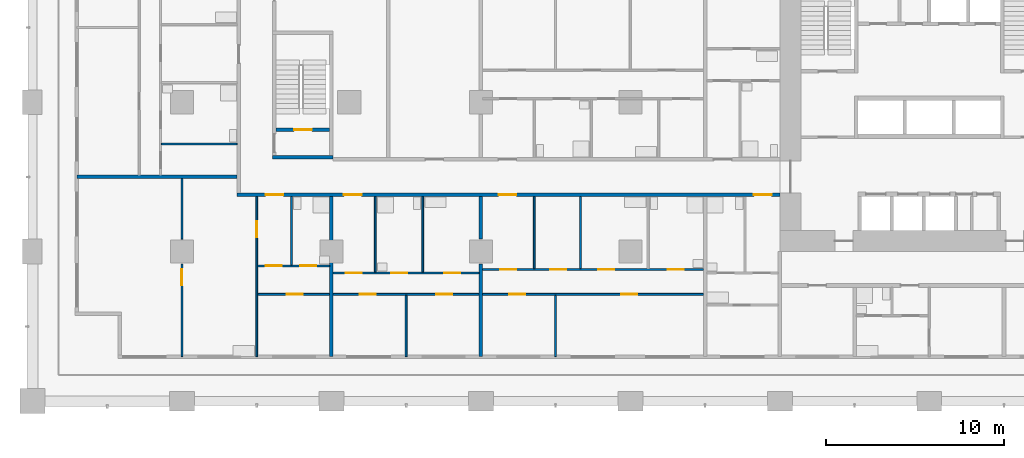
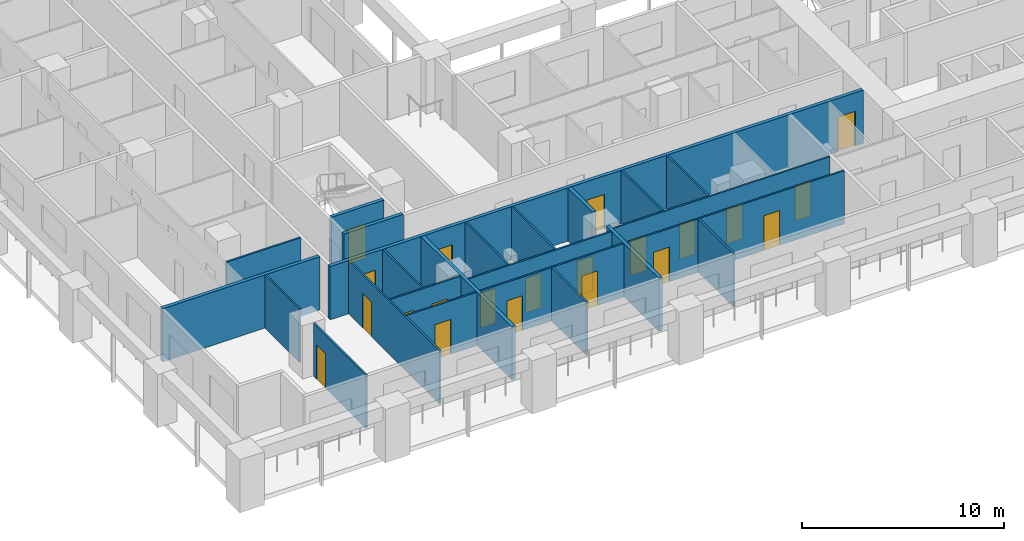
# One storey, part 2 of 19: 22 walls, 21 doors, 21 openings.
"""IFC4 building model written with IfcOpenShell, lengths in metres."""

from ifc_helpers import new_model, si_unit, direction, frame, frame_2d, origin, place, context, subcontext, project, spatial, rectangle, extrude, material, layer, layer_set, type_object, element, fill, save


model = new_model("IFC4")

# Units and contexts
model_context = context("Model", 3, precision=1e-05, world=origin(), true_north=direction((0.0, 1.0)))
body_context = subcontext(model_context, "Body", "Model", "MODEL_VIEW")
ifc_project = project(units=[si_unit("LENGTHUNIT", "METRE"), si_unit("AREAUNIT", "SQUARE_METRE"), si_unit("VOLUMEUNIT", "CUBIC_METRE"), si_unit("PLANEANGLEUNIT", "RADIAN"), si_unit("MASSUNIT", "GRAM", prefix="KILO")], contexts=[model_context])

# Site, building, storey
site_placement = place(None, origin())
site = spatial("IfcSite", under=ifc_project, at=site_placement, CompositionType="ELEMENT")
building_placement = place(site_placement, origin())
building = spatial("IfcBuilding", under=site, at=building_placement, Name="Vermilion Gate Residences", CompositionType="ELEMENT")
storey_placement = place(building_placement, frame((0.0, 0.0, 46.199951171875)))
storey = spatial("IfcBuildingStorey", under=building, at=storey_placement, Name="L10", CompositionType="ELEMENT", Elevation=46.199951171875)

# Wall, openings, doors
ifc_material_1 = material(Name="Plasterboard on steel studs", Category="steel")
ifc_layer_1 = layer(ifc_material_1, 0.10009765625)
ifc_layer_set_1 = layer_set([ifc_layer_1], Name="PARTITION 100")
wall_type_1 = type_object("IfcWallType", Name="PARTITION 100", PredefinedType="PARTITIONING", material=ifc_layer_set_1)
wall_1_placement = place(storey_placement, frame((12.64990234375, 6.0, 0.0), z_axis=(0.0, 0.0, 1.0), x_axis=(1.0, 0.0, 0.0)))
wall_1 = element("IfcWall", 1, at=wall_1_placement, inside=storey, type_object=wall_type_1, Name="Partition", PredefinedType="PARTITIONING", context=body_context, shape_type="SweptSolid", body=[
    extrude(rectangle(XDim=25.050048828125, YDim=0.10009765625, at=frame_2d((12.52490234375, 0.0))), origin(), (0.0, 0.0, 1.0), 3.219970703125),
])
opening_1_placement = place(wall_1_placement, frame((1.64990234375, 0.0, 0.0)))
opening_1 = element("IfcOpeningElement", 2, at=opening_1_placement, cuts=wall_1, Name="Opening DA10004", PredefinedType="OPENING", context=body_context, shape_type="SweptSolid", body=[
    extrude(rectangle(XDim=0.89990234375, YDim=2.10009765625, at=frame_2d((0.449951171875, 1.050048828125))), frame((0.0, 0.06005859375, 0.0), z_axis=(0.0, -1.0, 0.0), x_axis=(1.0, 0.0, 0.0)), (0.0, 0.0, 1.0), 0.1201171875),
])
opening_2_placement = place(wall_1_placement, frame((5.75, 0.0, 0.0)))
opening_2 = element("IfcOpeningElement", 3, at=opening_2_placement, cuts=wall_1, Name="Opening DA10005", PredefinedType="OPENING", context=body_context, shape_type="SweptSolid", body=[
    extrude(rectangle(XDim=0.89990234375, YDim=2.10009765625, at=frame_2d((0.449951171875, 1.050048828125))), frame((0.0, 0.06005859375, 0.0), z_axis=(0.0, -1.0, 0.0), x_axis=(1.0, 0.0, 0.0)), (0.0, 0.0, 1.0), 0.1201171875),
])
opening_3_placement = place(wall_1_placement, frame((10.050048828125, 0.0, 0.0)))
opening_3 = element("IfcOpeningElement", 4, at=opening_3_placement, cuts=wall_1, Name="Opening DA10006", PredefinedType="OPENING", context=body_context, shape_type="SweptSolid", body=[
    extrude(rectangle(XDim=0.89990234375, YDim=2.10009765625, at=frame_2d((0.449951171875, 1.050048828125))), frame((0.0, 0.06005859375, 0.0), z_axis=(0.0, -1.0, 0.0), x_axis=(1.0, 0.0, 0.0)), (0.0, 0.0, 1.0), 0.1201171875),
])
opening_4_placement = place(wall_1_placement, frame((14.14990234375, 0.0, 0.0)))
opening_4 = element("IfcOpeningElement", 5, at=opening_4_placement, cuts=wall_1, Name="Opening DA10007", PredefinedType="OPENING", context=body_context, shape_type="SweptSolid", body=[
    extrude(rectangle(XDim=0.89990234375, YDim=2.10009765625, at=frame_2d((0.449951171875, 1.050048828125))), frame((0.0, 0.06005859375, 0.0), z_axis=(0.0, -1.0, 0.0), x_axis=(1.0, 0.0, 0.0)), (0.0, 0.0, 1.0), 0.1201171875),
])
opening_5_placement = place(wall_1_placement, frame((20.449951171875, 0.0, 0.0)))
opening_5 = element("IfcOpeningElement", 6, at=opening_5_placement, cuts=wall_1, Name="Opening DA10008", PredefinedType="OPENING", context=body_context, shape_type="SweptSolid", body=[
    extrude(rectangle(XDim=0.89990234375, YDim=2.10009765625, at=frame_2d((0.449951171875, 1.050048828125))), frame((0.0, 0.06005859375, 0.0), z_axis=(0.0, -1.0, 0.0), x_axis=(1.0, 0.0, 0.0)), (0.0, 0.0, 1.0), 0.1201171875),
])
ifc_material_2 = material(Name="Timber", Category="wood")
door_type_1 = type_object("IfcDoorType", Name="INTERIOR DOOR 900 X 2100", OperationType="SINGLE_SWING_LEFT", PredefinedType="DOOR", material=ifc_material_2)
door_1_placement = place(opening_1_placement, frame((0.89990234375, 0.0, 0.0), z_axis=(0.0, 0.0, 1.0), x_axis=(-1.0, 0.0, 0.0)))
door_1 = element("IfcDoor", 7, at=door_1_placement, inside=storey, type_object=door_type_1, Name="Interior door", OperationType="SINGLE_SWING_LEFT", OverallHeight=2.10009765625, OverallWidth=0.89990234375, PredefinedType="DOOR", context=body_context, shape_type="SweptSolid", body=[
    extrude(rectangle(XDim=0.89990234375, YDim=2.10009765625, at=frame_2d((0.449951171875, 1.050048828125))), frame((0.0, 0.02490234375, 0.0), z_axis=(0.0, -1.0, 0.0), x_axis=(1.0, 0.0, 0.0)), (0.0, 0.0, 1.0), 0.050048828125),
])
fill(opening_1, door_1)
door_2_placement = place(opening_2_placement, frame((0.89990234375, 0.0, 0.0), z_axis=(0.0, 0.0, 1.0), x_axis=(-1.0, 0.0, 0.0)))
door_2 = element("IfcDoor", 8, at=door_2_placement, inside=storey, type_object=door_type_1, Name="Interior door", OperationType="SINGLE_SWING_RIGHT", OverallHeight=2.10009765625, OverallWidth=0.89990234375, PredefinedType="DOOR", context=body_context, shape_type="SweptSolid", body=[
    extrude(rectangle(XDim=0.89990234375, YDim=2.10009765625, at=frame_2d((0.449951171875, 1.050048828125))), frame((0.0, 0.02490234375, 0.0), z_axis=(0.0, -1.0, 0.0), x_axis=(1.0, 0.0, 0.0)), (0.0, 0.0, 1.0), 0.050048828125),
])
fill(opening_2, door_2)
door_3_placement = place(opening_3_placement, frame((0.89990234375, 0.0, 0.0), z_axis=(0.0, 0.0, 1.0), x_axis=(-1.0, 0.0, 0.0)))
door_3 = element("IfcDoor", 9, at=door_3_placement, inside=storey, type_object=door_type_1, Name="Interior door", OperationType="SINGLE_SWING_LEFT", OverallHeight=2.10009765625, OverallWidth=0.89990234375, PredefinedType="DOOR", context=body_context, shape_type="SweptSolid", body=[
    extrude(rectangle(XDim=0.89990234375, YDim=2.10009765625, at=frame_2d((0.449951171875, 1.050048828125))), frame((0.0, 0.02490234375, 0.0), z_axis=(0.0, -1.0, 0.0), x_axis=(1.0, 0.0, 0.0)), (0.0, 0.0, 1.0), 0.050048828125),
])
fill(opening_3, door_3)
door_4_placement = place(opening_4_placement, frame((0.89990234375, 0.0, 0.0), z_axis=(0.0, 0.0, 1.0), x_axis=(-1.0, 0.0, 0.0)))
door_4 = element("IfcDoor", 10, at=door_4_placement, inside=storey, type_object=door_type_1, Name="Interior door", OperationType="SINGLE_SWING_RIGHT", OverallHeight=2.10009765625, OverallWidth=0.89990234375, PredefinedType="DOOR", context=body_context, shape_type="SweptSolid", body=[
    extrude(rectangle(XDim=0.89990234375, YDim=2.10009765625, at=frame_2d((0.449951171875, 1.050048828125))), frame((0.0, 0.02490234375, 0.0), z_axis=(0.0, -1.0, 0.0), x_axis=(1.0, 0.0, 0.0)), (0.0, 0.0, 1.0), 0.050048828125),
])
fill(opening_4, door_4)
door_5_placement = place(opening_5_placement, frame((0.89990234375, 0.0, 0.0), z_axis=(0.0, 0.0, 1.0), x_axis=(-1.0, 0.0, 0.0)))
door_5 = element("IfcDoor", 11, at=door_5_placement, inside=storey, type_object=door_type_1, Name="Interior door", OperationType="SINGLE_SWING_RIGHT", OverallHeight=2.10009765625, OverallWidth=0.89990234375, PredefinedType="DOOR", context=body_context, shape_type="SweptSolid", body=[
    extrude(rectangle(XDim=0.89990234375, YDim=2.10009765625, at=frame_2d((0.449951171875, 1.050048828125))), frame((0.0, 0.02490234375, 0.0), z_axis=(0.0, -1.0, 0.0), x_axis=(1.0, 0.0, 0.0)), (0.0, 0.0, 1.0), 0.050048828125),
])
fill(opening_5, door_5)

wall_2_placement = place(storey_placement, frame((16.89990234375, 7.199951171875, 0.0), z_axis=(0.0, 0.0, 1.0), x_axis=(1.0, 0.0, 0.0)))
wall_2 = element("IfcWall", 12, at=wall_2_placement, inside=storey, type_object=wall_type_1, Name="Partition", PredefinedType="PARTITIONING", context=body_context, shape_type="SweptSolid", body=[
    extrude(rectangle(XDim=8.2001953125, YDim=0.10009765625, at=frame_2d((4.10009765625, 0.0))), origin(), (0.0, 0.0, 1.0), 3.219970703125),
])
opening_6_placement = place(wall_2_placement, frame((0.699951171875, 0.0, 0.0)))
opening_6 = element("IfcOpeningElement", 13, at=opening_6_placement, cuts=wall_2, Name="Opening DA10013", PredefinedType="OPENING", context=body_context, shape_type="SweptSolid", body=[
    extrude(rectangle(XDim=0.89990234375, YDim=2.10009765625, at=frame_2d((0.449951171875, 1.050048828125))), frame((0.0, 0.06005859375, 0.0), z_axis=(0.0, -1.0, 0.0), x_axis=(1.0, 0.0, 0.0)), (0.0, 0.0, 1.0), 0.1201171875),
])
opening_7_placement = place(wall_2_placement, frame((3.26708984375, 0.0, 0.0)))
opening_7 = element("IfcOpeningElement", 14, at=opening_7_placement, cuts=wall_2, Name="Opening DA10014", PredefinedType="OPENING", context=body_context, shape_type="SweptSolid", body=[
    extrude(rectangle(XDim=0.89990234375, YDim=2.10009765625, at=frame_2d((0.449951171875, 1.050048828125))), frame((0.0, 0.06005859375, 0.0), z_axis=(0.0, -1.0, 0.0), x_axis=(1.0, 0.0, 0.0)), (0.0, 0.0, 1.0), 0.1201171875),
])
opening_8_placement = place(wall_2_placement, frame((6.23291015625, 0.0, 0.0)))
opening_8 = element("IfcOpeningElement", 15, at=opening_8_placement, cuts=wall_2, Name="Opening DA10015", PredefinedType="OPENING", context=body_context, shape_type="SweptSolid", body=[
    extrude(rectangle(XDim=0.89990234375, YDim=2.10009765625, at=frame_2d((0.449951171875, 1.050048828125))), frame((0.0, 0.06005859375, 0.0), z_axis=(0.0, -1.0, 0.0), x_axis=(1.0, 0.0, 0.0)), (0.0, 0.0, 1.0), 0.1201171875),
])
door_6_placement = place(opening_6_placement, frame((0.89990234375, 0.0, 0.0), z_axis=(0.0, 0.0, 1.0), x_axis=(-1.0, 0.0, 0.0)))
door_6 = element("IfcDoor", 16, at=door_6_placement, inside=storey, type_object=door_type_1, Name="Interior door", OperationType="SINGLE_SWING_RIGHT", OverallHeight=2.10009765625, OverallWidth=0.89990234375, PredefinedType="DOOR", context=body_context, shape_type="SweptSolid", body=[
    extrude(rectangle(XDim=0.89990234375, YDim=2.10009765625, at=frame_2d((0.449951171875, 1.050048828125))), frame((0.0, 0.02490234375, 0.0), z_axis=(0.0, -1.0, 0.0), x_axis=(1.0, 0.0, 0.0)), (0.0, 0.0, 1.0), 0.050048828125),
])
fill(opening_6, door_6)
door_7_placement = place(opening_7_placement, origin())
door_7 = element("IfcDoor", 17, at=door_7_placement, inside=storey, type_object=door_type_1, Name="Interior door", OperationType="SINGLE_SWING_LEFT", OverallHeight=2.10009765625, OverallWidth=0.89990234375, PredefinedType="DOOR", context=body_context, shape_type="SweptSolid", body=[
    extrude(rectangle(XDim=0.89990234375, YDim=2.10009765625, at=frame_2d((0.449951171875, 1.050048828125))), frame((0.0, 0.02490234375, 0.0), z_axis=(0.0, -1.0, 0.0), x_axis=(1.0, 0.0, 0.0)), (0.0, 0.0, 1.0), 0.050048828125),
])
fill(opening_7, door_7)
door_8_placement = place(opening_8_placement, origin())
door_8 = element("IfcDoor", 18, at=door_8_placement, inside=storey, type_object=door_type_1, Name="Interior door", OperationType="SINGLE_SWING_RIGHT", OverallHeight=2.10009765625, OverallWidth=0.89990234375, PredefinedType="DOOR", context=body_context, shape_type="SweptSolid", body=[
    extrude(rectangle(XDim=0.89990234375, YDim=2.10009765625, at=frame_2d((0.449951171875, 1.050048828125))), frame((0.0, 0.02490234375, 0.0), z_axis=(0.0, -1.0, 0.0), x_axis=(1.0, 0.0, 0.0)), (0.0, 0.0, 1.0), 0.050048828125),
])
fill(opening_8, door_8)

wall_3_placement = place(storey_placement, frame((25.300048828125, 7.39990234375, 0.0), z_axis=(0.0, 0.0, 1.0), x_axis=(1.0, 0.0, 0.0)))
wall_3 = element("IfcWall", 19, at=wall_3_placement, inside=storey, type_object=wall_type_1, Name="Partition", PredefinedType="PARTITIONING", context=body_context, shape_type="SweptSolid", body=[
    extrude(rectangle(XDim=12.39990234375, YDim=0.10009765625, at=frame_2d((6.199951171875, 0.0))), origin(), (0.0, 0.0, 1.0), 3.219970703125),
])
opening_9_placement = place(wall_3_placement, frame((1.0, 0.0, 0.0)))
opening_9 = element("IfcOpeningElement", 20, at=opening_9_placement, cuts=wall_3, Name="Opening DA10018", PredefinedType="OPENING", context=body_context, shape_type="SweptSolid", body=[
    extrude(rectangle(XDim=0.89990234375, YDim=2.10009765625, at=frame_2d((0.449951171875, 1.050048828125))), frame((0.0, 0.06005859375, 0.0), z_axis=(0.0, -1.0, 0.0), x_axis=(1.0, 0.0, 0.0)), (0.0, 0.0, 1.0), 0.1201171875),
])
opening_10_placement = place(wall_3_placement, frame((3.800048828125, 0.0, 0.0)))
opening_10 = element("IfcOpeningElement", 21, at=opening_10_placement, cuts=wall_3, Name="Opening DA10019", PredefinedType="OPENING", context=body_context, shape_type="SweptSolid", body=[
    extrude(rectangle(XDim=0.89990234375, YDim=2.10009765625, at=frame_2d((0.449951171875, 1.050048828125))), frame((0.0, 0.06005859375, 0.0), z_axis=(0.0, -1.0, 0.0), x_axis=(1.0, 0.0, 0.0)), (0.0, 0.0, 1.0), 0.1201171875),
])
opening_11_placement = place(wall_3_placement, frame((6.5, 0.0, 0.0)))
opening_11 = element("IfcOpeningElement", 22, at=opening_11_placement, cuts=wall_3, Name="Opening DA10020", PredefinedType="OPENING", context=body_context, shape_type="SweptSolid", body=[
    extrude(rectangle(XDim=0.89990234375, YDim=2.10009765625, at=frame_2d((0.449951171875, 1.050048828125))), frame((0.0, 0.06005859375, 0.0), z_axis=(0.0, -1.0, 0.0), x_axis=(1.0, 0.0, 0.0)), (0.0, 0.0, 1.0), 0.1201171875),
])
opening_12_placement = place(wall_3_placement, frame((10.39990234375, 0.0, 0.0)))
opening_12 = element("IfcOpeningElement", 23, at=opening_12_placement, cuts=wall_3, Name="Opening DA10021", PredefinedType="OPENING", context=body_context, shape_type="SweptSolid", body=[
    extrude(rectangle(XDim=0.89990234375, YDim=2.10009765625, at=frame_2d((0.449951171875, 1.050048828125))), frame((0.0, 0.06005859375, 0.0), z_axis=(0.0, -1.0, 0.0), x_axis=(1.0, 0.0, 0.0)), (0.0, 0.0, 1.0), 0.1201171875),
])
door_9_placement = place(opening_9_placement, origin())
door_9 = element("IfcDoor", 24, at=door_9_placement, inside=storey, type_object=door_type_1, Name="Interior door", OperationType="SINGLE_SWING_RIGHT", OverallHeight=2.10009765625, OverallWidth=0.89990234375, PredefinedType="DOOR", context=body_context, shape_type="SweptSolid", body=[
    extrude(rectangle(XDim=0.89990234375, YDim=2.10009765625, at=frame_2d((0.449951171875, 1.050048828125))), frame((0.0, 0.02490234375, 0.0), z_axis=(0.0, -1.0, 0.0), x_axis=(1.0, 0.0, 0.0)), (0.0, 0.0, 1.0), 0.050048828125),
])
fill(opening_9, door_9)
door_10_placement = place(opening_10_placement, origin())
door_10 = element("IfcDoor", 25, at=door_10_placement, inside=storey, type_object=door_type_1, Name="Interior door", OperationType="SINGLE_SWING_RIGHT", OverallHeight=2.10009765625, OverallWidth=0.89990234375, PredefinedType="DOOR", context=body_context, shape_type="SweptSolid", body=[
    extrude(rectangle(XDim=0.89990234375, YDim=2.10009765625, at=frame_2d((0.449951171875, 1.050048828125))), frame((0.0, 0.02490234375, 0.0), z_axis=(0.0, -1.0, 0.0), x_axis=(1.0, 0.0, 0.0)), (0.0, 0.0, 1.0), 0.050048828125),
])
fill(opening_10, door_10)
door_11_placement = place(opening_11_placement, origin())
door_11 = element("IfcDoor", 26, at=door_11_placement, inside=storey, type_object=door_type_1, Name="Interior door", OperationType="SINGLE_SWING_LEFT", OverallHeight=2.10009765625, OverallWidth=0.89990234375, PredefinedType="DOOR", context=body_context, shape_type="SweptSolid", body=[
    extrude(rectangle(XDim=0.89990234375, YDim=2.10009765625, at=frame_2d((0.449951171875, 1.050048828125))), frame((0.0, 0.02490234375, 0.0), z_axis=(0.0, -1.0, 0.0), x_axis=(1.0, 0.0, 0.0)), (0.0, 0.0, 1.0), 0.050048828125),
])
fill(opening_11, door_11)
door_12_placement = place(opening_12_placement, origin())
door_12 = element("IfcDoor", 27, at=door_12_placement, inside=storey, type_object=door_type_1, Name="Interior door", OperationType="SINGLE_SWING_RIGHT", OverallHeight=2.10009765625, OverallWidth=0.89990234375, PredefinedType="DOOR", context=body_context, shape_type="SweptSolid", body=[
    extrude(rectangle(XDim=0.89990234375, YDim=2.10009765625, at=frame_2d((0.449951171875, 1.050048828125))), frame((0.0, 0.02490234375, 0.0), z_axis=(0.0, -1.0, 0.0), x_axis=(1.0, 0.0, 0.0)), (0.0, 0.0, 1.0), 0.050048828125),
])
fill(opening_12, door_12)

wall_4_placement = place(storey_placement, frame((12.64990234375, 7.60009765625, 0.0), z_axis=(0.0, 0.0, 1.0), x_axis=(1.0, 0.0, 0.0)))
wall_4 = element("IfcWall", 28, at=wall_4_placement, inside=storey, type_object=wall_type_1, Name="Partition", PredefinedType="PARTITIONING", context=body_context, shape_type="SweptSolid", body=[
    extrude(rectangle(XDim=4.050048828125, YDim=0.10009765625, at=frame_2d((2.02490234375, 0.0))), origin(), (0.0, 0.0, 1.0), 3.219970703125),
])
opening_13_placement = place(wall_4_placement, frame((0.449951171875, 0.0, 0.0)))
opening_13 = element("IfcOpeningElement", 29, at=opening_13_placement, cuts=wall_4, Name="Opening DA10022", PredefinedType="OPENING", context=body_context, shape_type="SweptSolid", body=[
    extrude(rectangle(XDim=0.89990234375, YDim=2.10009765625, at=frame_2d((0.449951171875, 1.050048828125))), frame((0.0, 0.06005859375, 0.0), z_axis=(0.0, -1.0, 0.0), x_axis=(1.0, 0.0, 0.0)), (0.0, 0.0, 1.0), 0.1201171875),
])
opening_14_placement = place(wall_4_placement, frame((2.409912109375, 0.0, 0.0)))
opening_14 = element("IfcOpeningElement", 30, at=opening_14_placement, cuts=wall_4, Name="Opening DA10023", PredefinedType="OPENING", context=body_context, shape_type="SweptSolid", body=[
    extrude(rectangle(XDim=0.89990234375, YDim=2.10009765625, at=frame_2d((0.449951171875, 1.050048828125))), frame((0.0, 0.06005859375, 0.0), z_axis=(0.0, -1.0, 0.0), x_axis=(1.0, 0.0, 0.0)), (0.0, 0.0, 1.0), 0.1201171875),
])
door_13_placement = place(opening_13_placement, frame((0.89990234375, 0.0, 0.0), z_axis=(0.0, 0.0, 1.0), x_axis=(-1.0, 0.0, 0.0)))
door_13 = element("IfcDoor", 31, at=door_13_placement, inside=storey, type_object=door_type_1, Name="Interior door", OperationType="SINGLE_SWING_RIGHT", OverallHeight=2.10009765625, OverallWidth=0.89990234375, PredefinedType="DOOR", context=body_context, shape_type="SweptSolid", body=[
    extrude(rectangle(XDim=0.89990234375, YDim=2.10009765625, at=frame_2d((0.449951171875, 1.050048828125))), frame((0.0, 0.02490234375, 0.0), z_axis=(0.0, -1.0, 0.0), x_axis=(1.0, 0.0, 0.0)), (0.0, 0.0, 1.0), 0.050048828125),
])
fill(opening_13, door_13)
door_14_placement = place(opening_14_placement, origin())
door_14 = element("IfcDoor", 32, at=door_14_placement, inside=storey, type_object=door_type_1, Name="Interior door", OperationType="SINGLE_SWING_RIGHT", OverallHeight=2.10009765625, OverallWidth=0.89990234375, PredefinedType="DOOR", context=body_context, shape_type="SweptSolid", body=[
    extrude(rectangle(XDim=0.89990234375, YDim=2.10009765625, at=frame_2d((0.449951171875, 1.050048828125))), frame((0.0, 0.02490234375, 0.0), z_axis=(0.0, -1.0, 0.0), x_axis=(1.0, 0.0, 0.0)), (0.0, 0.0, 1.0), 0.050048828125),
])
fill(opening_14, door_14)

# Wall
wall_5_placement = place(storey_placement, frame((7.25, 14.449951171875, 0.0), z_axis=(0.0, 0.0, 1.0), x_axis=(1.0, 0.0, 0.0)))
element("IfcWall", 33, at=wall_5_placement, inside=storey, type_object=wall_type_1, Name="Partition", PredefinedType="PARTITIONING", context=body_context, shape_type="SweptSolid", body=[
    extrude(rectangle(XDim=4.25, YDim=0.10009765625, at=frame_2d((2.125, 0.0))), origin(), (0.0, 0.0, 1.0), 3.219970703125),
])

# Wall, opening, door
wall_6_placement = place(storey_placement, frame((8.39990234375, 2.5, 0.0), z_axis=(0.0, 0.0, 1.0), x_axis=(0.0, 1.0, 0.0)))
wall_6 = element("IfcWall", 34, at=wall_6_placement, inside=storey, type_object=wall_type_1, Name="Partition", PredefinedType="PARTITIONING", context=body_context, shape_type="SweptSolid", body=[
    extrude(rectangle(XDim=5.199951171875, YDim=0.10009765625, at=frame_2d((2.60009765625, 0.0))), origin(), (0.0, 0.0, 1.0), 3.219970703125),
])
opening_15_placement = place(wall_6_placement, frame((4.0, 0.0, 0.0)))
opening_15 = element("IfcOpeningElement", 35, at=opening_15_placement, cuts=wall_6, Name="Opening DA10063", PredefinedType="OPENING", context=body_context, shape_type="SweptSolid", body=[
    extrude(rectangle(XDim=0.89990234375, YDim=2.10009765625, at=frame_2d((0.449951171875, 1.050048828125))), frame((0.0, 0.06005859375, 0.0), z_axis=(0.0, -1.0, 0.0), x_axis=(1.0, 0.0, 0.0)), (0.0, 0.0, 1.0), 0.1201171875),
])
door_15_placement = place(opening_15_placement, frame((0.89990234375, 0.0, 0.0), z_axis=(0.0, 0.0, 1.0), x_axis=(-1.0, 0.0, 0.0)))
door_15 = element("IfcDoor", 36, at=door_15_placement, inside=storey, type_object=door_type_1, Name="Interior door", OperationType="SINGLE_SWING_LEFT", OverallHeight=2.10009765625, OverallWidth=0.89990234375, PredefinedType="DOOR", context=body_context, shape_type="SweptSolid", body=[
    extrude(rectangle(XDim=0.89990234375, YDim=2.10009765625, at=frame_2d((0.449951171875, 1.050048828125))), frame((0.0, 0.02490234375, 0.0), z_axis=(0.0, -1.0, 0.0), x_axis=(1.0, 0.0, 0.0)), (0.0, 0.0, 1.0), 0.050048828125),
])
fill(opening_15, door_15)

# Wall
wall_7_placement = place(storey_placement, frame((8.39990234375, 9.10009765625, 0.0), z_axis=(0.0, 0.0, 1.0), x_axis=(0.0, 1.0, 0.0)))
element("IfcWall", 37, at=wall_7_placement, inside=storey, type_object=wall_type_1, Name="Partition", PredefinedType="PARTITIONING", context=body_context, shape_type="SweptSolid", body=[
    extrude(rectangle(XDim=3.39990234375, YDim=0.10009765625, at=frame_2d((1.699951171875, 0.0))), origin(), (0.0, 0.0, 1.0), 3.219970703125),
])

# Wall, opening, door
wall_8_placement = place(storey_placement, frame((12.60009765625, 2.5, 0.0), z_axis=(0.0, 0.0, 1.0), x_axis=(0.0, 1.0, 0.0)))
wall_8 = element("IfcWall", 38, at=wall_8_placement, inside=storey, type_object=wall_type_1, Name="Partition", PredefinedType="PARTITIONING", context=body_context, shape_type="SweptSolid", body=[
    extrude(rectangle(XDim=9.0, YDim=0.10009765625, at=frame_2d((4.5, 0.0))), origin(), (0.0, 0.0, 1.0), 3.219970703125),
])
opening_16_placement = place(wall_8_placement, frame((6.699951171875, 0.0, 0.0)))
opening_16 = element("IfcOpeningElement", 39, at=opening_16_placement, cuts=wall_8, Name="Opening DA10067", PredefinedType="OPENING", context=body_context, shape_type="SweptSolid", body=[
    extrude(rectangle(XDim=0.89990234375, YDim=2.10009765625, at=frame_2d((0.449951171875, 1.050048828125))), frame((0.0, 0.06005859375, 0.0), z_axis=(0.0, -1.0, 0.0), x_axis=(1.0, 0.0, 0.0)), (0.0, 0.0, 1.0), 0.1201171875),
])
door_16_placement = place(opening_16_placement, origin())
door_16 = element("IfcDoor", 40, at=door_16_placement, inside=storey, type_object=door_type_1, Name="Interior door", OperationType="SINGLE_SWING_RIGHT", OverallHeight=2.10009765625, OverallWidth=0.89990234375, PredefinedType="DOOR", context=body_context, shape_type="SweptSolid", body=[
    extrude(rectangle(XDim=0.89990234375, YDim=2.10009765625, at=frame_2d((0.449951171875, 1.050048828125))), frame((0.0, 0.02490234375, 0.0), z_axis=(0.0, -1.0, 0.0), x_axis=(1.0, 0.0, 0.0)), (0.0, 0.0, 1.0), 0.050048828125),
])
fill(opening_16, door_16)

# Walls
wall_9_placement = place(storey_placement, frame((14.56005859375, 7.64990234375, 0.0), z_axis=(0.0, 0.0, 1.0), x_axis=(0.0, 1.0, 0.0)))
element("IfcWall", 41, at=wall_9_placement, inside=storey, type_object=wall_type_1, Name="Partition", PredefinedType="PARTITIONING", context=body_context, shape_type="SweptSolid", body=[
    extrude(rectangle(XDim=3.85009765625, YDim=0.10009765625, at=frame_2d((1.925048828125, 0.0))), origin(), (0.0, 0.0, 1.0), 3.219970703125),
])
wall_10_placement = place(storey_placement, frame((19.26708984375, 7.25, 0.0), z_axis=(0.0, 0.0, 1.0), x_axis=(0.0, 1.0, 0.0)))
element("IfcWall", 42, at=wall_10_placement, inside=storey, type_object=wall_type_1, Name="Partition", PredefinedType="PARTITIONING", context=body_context, shape_type="SweptSolid", body=[
    extrude(rectangle(XDim=4.25, YDim=0.10009765625, at=frame_2d((2.125, 0.0))), origin(), (0.0, 0.0, 1.0), 3.219970703125),
])
wall_11_placement = place(storey_placement, frame((21.0, 2.5, 0.0), z_axis=(0.0, 0.0, 1.0), x_axis=(0.0, 1.0, 0.0)))
element("IfcWall", 43, at=wall_11_placement, inside=storey, type_object=wall_type_1, Name="Partition", PredefinedType="PARTITIONING", context=body_context, shape_type="SweptSolid", body=[
    extrude(rectangle(XDim=3.449951171875, YDim=0.10009765625, at=frame_2d((1.72509765625, 0.0))), origin(), (0.0, 0.0, 1.0), 3.219970703125),
])
wall_12_placement = place(storey_placement, frame((21.93310546875, 7.25, 0.0), z_axis=(0.0, 0.0, 1.0), x_axis=(0.0, 1.0, 0.0)))
element("IfcWall", 44, at=wall_12_placement, inside=storey, type_object=wall_type_1, Name="Partition", PredefinedType="PARTITIONING", context=body_context, shape_type="SweptSolid", body=[
    extrude(rectangle(XDim=4.25, YDim=0.10009765625, at=frame_2d((2.125, 0.0))), origin(), (0.0, 0.0, 1.0), 3.219970703125),
])
wall_13_placement = place(storey_placement, frame((28.199951171875, 7.449951171875, 0.0), z_axis=(0.0, 0.0, 1.0), x_axis=(0.0, 1.0, 0.0)))
element("IfcWall", 45, at=wall_13_placement, inside=storey, type_object=wall_type_1, Name="Partition", PredefinedType="PARTITIONING", context=body_context, shape_type="SweptSolid", body=[
    extrude(rectangle(XDim=4.050048828125, YDim=0.10009765625, at=frame_2d((2.02490234375, 0.0))), origin(), (0.0, 0.0, 1.0), 3.219970703125),
])
wall_14_placement = place(storey_placement, frame((29.39990234375, 2.5, 0.0), z_axis=(0.0, 0.0, 1.0), x_axis=(0.0, 1.0, 0.0)))
element("IfcWall", 46, at=wall_14_placement, inside=storey, type_object=wall_type_1, Name="Partition", PredefinedType="PARTITIONING", context=body_context, shape_type="SweptSolid", body=[
    extrude(rectangle(XDim=3.449951171875, YDim=0.10009765625, at=frame_2d((1.72509765625, 0.0))), origin(), (0.0, 0.0, 1.0), 3.219970703125),
])
wall_15_placement = place(storey_placement, frame((30.800048828125, 7.449951171875, 0.0), z_axis=(0.0, 0.0, 1.0), x_axis=(0.0, 1.0, 0.0)))
element("IfcWall", 47, at=wall_15_placement, inside=storey, type_object=wall_type_1, Name="Partition", PredefinedType="PARTITIONING", context=body_context, shape_type="SweptSolid", body=[
    extrude(rectangle(XDim=4.050048828125, YDim=0.10009765625, at=frame_2d((2.02490234375, 0.0))), origin(), (0.0, 0.0, 1.0), 3.219970703125),
])

# Wall, openings, doors
ifc_material_3 = material(Name="Fire-rated plasterboard on steel studs", Category="steel")
ifc_layer_2 = layer(ifc_material_3, 0.199951171875)
ifc_layer_set_2 = layer_set([ifc_layer_2], Name="PARTY WALL 200 EI 120")
wall_type_2 = type_object("IfcWallType", Name="PARTY WALL 200 EI 120", PredefinedType="PARTITIONING", material=ifc_layer_set_2)
wall_16_placement = place(storey_placement, frame((11.5, 11.60009765625, 0.0), z_axis=(0.0, 0.0, 1.0), x_axis=(1.0, 0.0, 0.0)))
wall_16 = element("IfcWall", 48, at=wall_16_placement, inside=storey, type_object=wall_type_2, Name="Party and corridor wall", PredefinedType="PARTITIONING", context=body_context, shape_type="SweptSolid", body=[
    extrude(rectangle(XDim=30.5, YDim=0.199951171875, at=frame_2d((15.25, 0.0))), origin(), (0.0, 0.0, 1.0), 3.219970703125),
])
opening_17_placement = place(wall_16_placement, frame((1.60009765625, 0.0, 0.0)))
opening_17 = element("IfcOpeningElement", 49, at=opening_17_placement, cuts=wall_16, Name="Opening DA10024", PredefinedType="OPENING", context=body_context, shape_type="SweptSolid", body=[
    extrude(rectangle(XDim=1.0, YDim=2.10009765625, at=frame_2d((0.5, 1.050048828125))), frame((0.0, 0.10986328125, 0.0), z_axis=(0.0, -1.0, 0.0), x_axis=(1.0, 0.0, 0.0)), (0.0, 0.0, 1.0), 0.219970703125),
])
opening_18_placement = place(wall_16_placement, frame((6.0, 0.0, 0.0)))
opening_18 = element("IfcOpeningElement", 50, at=opening_18_placement, cuts=wall_16, Name="Opening DA10025", PredefinedType="OPENING", context=body_context, shape_type="SweptSolid", body=[
    extrude(rectangle(XDim=1.0, YDim=2.10009765625, at=frame_2d((0.5, 1.050048828125))), frame((0.0, 0.10986328125, 0.0), z_axis=(0.0, -1.0, 0.0), x_axis=(1.0, 0.0, 0.0)), (0.0, 0.0, 1.0), 0.219970703125),
])
opening_19_placement = place(wall_16_placement, frame((14.699951171875, 0.0, 0.0)))
opening_19 = element("IfcOpeningElement", 51, at=opening_19_placement, cuts=wall_16, Name="Opening DA10026", PredefinedType="OPENING", context=body_context, shape_type="SweptSolid", body=[
    extrude(rectangle(XDim=1.0, YDim=2.10009765625, at=frame_2d((0.5, 1.050048828125))), frame((0.0, 0.10986328125, 0.0), z_axis=(0.0, -1.0, 0.0), x_axis=(1.0, 0.0, 0.0)), (0.0, 0.0, 1.0), 0.219970703125),
])
opening_20_placement = place(wall_16_placement, frame((29.0400390625, 0.0, 0.0)))
opening_20 = element("IfcOpeningElement", 52, at=opening_20_placement, cuts=wall_16, Name="Opening DA10027", PredefinedType="OPENING", context=body_context, shape_type="SweptSolid", body=[
    extrude(rectangle(XDim=1.0, YDim=2.10009765625, at=frame_2d((0.5, 1.050048828125))), frame((0.0, 0.10986328125, 0.0), z_axis=(0.0, -1.0, 0.0), x_axis=(1.0, 0.0, 0.0)), (0.0, 0.0, 1.0), 0.219970703125),
])
ifc_material_4 = material(Name="Steel", Category="steel")
door_type_2 = type_object("IfcDoorType", Name="ENTRANCE DOOR 1000 X 2100 FD30", OperationType="SINGLE_SWING_LEFT", PredefinedType="DOOR", material=ifc_material_4)
door_17_placement = place(opening_17_placement, frame((1.0, 0.0, 0.0), z_axis=(0.0, 0.0, 1.0), x_axis=(-1.0, 0.0, 0.0)))
door_17 = element("IfcDoor", 53, at=door_17_placement, inside=storey, type_object=door_type_2, Name="Entrance door", OperationType="SINGLE_SWING_LEFT", OverallHeight=2.10009765625, OverallWidth=1.0, PredefinedType="DOOR", context=body_context, shape_type="SweptSolid", body=[
    extrude(rectangle(XDim=1.0, YDim=2.10009765625, at=frame_2d((0.5, 1.050048828125))), frame((0.0, 0.02490234375, 0.0), z_axis=(0.0, -1.0, 0.0), x_axis=(1.0, 0.0, 0.0)), (0.0, 0.0, 1.0), 0.050048828125),
])
fill(opening_17, door_17)
door_18_placement = place(opening_18_placement, frame((1.0, 0.0, 0.0), z_axis=(0.0, 0.0, 1.0), x_axis=(-1.0, 0.0, 0.0)))
door_18 = element("IfcDoor", 54, at=door_18_placement, inside=storey, type_object=door_type_2, Name="Entrance door", OperationType="SINGLE_SWING_RIGHT", OverallHeight=2.10009765625, OverallWidth=1.0, PredefinedType="DOOR", context=body_context, shape_type="SweptSolid", body=[
    extrude(rectangle(XDim=1.0, YDim=2.10009765625, at=frame_2d((0.5, 1.050048828125))), frame((0.0, 0.02490234375, 0.0), z_axis=(0.0, -1.0, 0.0), x_axis=(1.0, 0.0, 0.0)), (0.0, 0.0, 1.0), 0.050048828125),
])
fill(opening_18, door_18)
door_19_placement = place(opening_19_placement, frame((1.0, 0.0, 0.0), z_axis=(0.0, 0.0, 1.0), x_axis=(-1.0, 0.0, 0.0)))
door_19 = element("IfcDoor", 55, at=door_19_placement, inside=storey, type_object=door_type_2, Name="Entrance door", OperationType="SINGLE_SWING_RIGHT", OverallHeight=2.10009765625, OverallWidth=1.0, PredefinedType="DOOR", context=body_context, shape_type="SweptSolid", body=[
    extrude(rectangle(XDim=1.0, YDim=2.10009765625, at=frame_2d((0.5, 1.050048828125))), frame((0.0, 0.02490234375, 0.0), z_axis=(0.0, -1.0, 0.0), x_axis=(1.0, 0.0, 0.0)), (0.0, 0.0, 1.0), 0.050048828125),
])
fill(opening_19, door_19)
door_20_placement = place(opening_20_placement, frame((1.0, 0.0, 0.0), z_axis=(0.0, 0.0, 1.0), x_axis=(-1.0, 0.0, 0.0)))
door_20 = element("IfcDoor", 56, at=door_20_placement, inside=storey, type_object=door_type_2, Name="Entrance door", OperationType="SINGLE_SWING_RIGHT", OverallHeight=2.10009765625, OverallWidth=1.0, PredefinedType="DOOR", context=body_context, shape_type="SweptSolid", body=[
    extrude(rectangle(XDim=1.0, YDim=2.10009765625, at=frame_2d((0.5, 1.050048828125))), frame((0.0, 0.02490234375, 0.0), z_axis=(0.0, -1.0, 0.0), x_axis=(1.0, 0.0, 0.0)), (0.0, 0.0, 1.0), 0.050048828125),
])
fill(opening_20, door_20)

# Walls
for number, where, z_axis, x_axis, name in (
    (57, (2.5, 12.60009765625, 0.0), (0.0, 0.0, 1.0), (1.0, 0.0, 0.0), "Party and corridor wall"),
    (58, (16.800048828125, 2.5, 0.0), (0.0, 0.0, 1.0), (0.0, 1.0, 0.0), "Party and corridor wall"),
):
    element("IfcWall", number, at=place(storey_placement, frame(where, z_axis=z_axis, x_axis=x_axis)), inside=storey, type_object=wall_type_2, Name=name, PredefinedType="PARTITIONING", context=body_context, shape_type="SweptSolid", body=[
        extrude(rectangle(XDim=9.0, YDim=0.199951171875, at=frame_2d((4.5, 0.0))), origin(), (0.0, 0.0, 1.0), 3.219970703125),
    ])
wall_17_placement = place(storey_placement, frame((25.199951171875, 2.5, 0.0), z_axis=(0.0, 0.0, 1.0), x_axis=(0.0, 1.0, 0.0)))
element("IfcWall", 59, at=wall_17_placement, inside=storey, type_object=wall_type_2, Name="Party and corridor wall", PredefinedType="PARTITIONING", context=body_context, shape_type="SweptSolid", body=[
    extrude(rectangle(XDim=5.199951171875, YDim=0.199951171875, at=frame_2d((2.60009765625, 0.0))), origin(), (0.0, 0.0, 1.0), 3.219970703125),
])
wall_18_placement = place(storey_placement, frame((25.199951171875, 9.10009765625, 0.0), z_axis=(0.0, 0.0, 1.0), x_axis=(0.0, 1.0, 0.0)))
element("IfcWall", 60, at=wall_18_placement, inside=storey, type_object=wall_type_2, Name="Party and corridor wall", PredefinedType="PARTITIONING", context=body_context, shape_type="SweptSolid", body=[
    extrude(rectangle(XDim=2.39990234375, YDim=0.199951171875, at=frame_2d((1.199951171875, 0.0))), origin(), (0.0, 0.0, 1.0), 3.219970703125),
])
ifc_material_5 = material(Name="Concrete C60", Category="concrete")
ifc_layer_3 = layer(ifc_material_5, 0.199951171875)
ifc_layer_set_3 = layer_set([ifc_layer_3], Name="RC CORE INTERNAL WALL 200 C60")
wall_type_3 = type_object("IfcWallType", Name="RC CORE INTERNAL WALL 200 C60", PredefinedType="SHEAR", material=ifc_layer_set_3)
wall_19_placement = place(storey_placement, frame((13.5, 13.699951171875, 0.0), z_axis=(0.0, 0.0, 1.0), x_axis=(1.0, 0.0, 0.0)))
element("IfcWall", 61, at=wall_19_placement, inside=storey, type_object=wall_type_3, Name="Core internal wall C10-S", PredefinedType="SHEAR", context=body_context, shape_type="SweptSolid", body=[
    extrude(rectangle(XDim=3.39990234375, YDim=0.199951171875, at=frame_2d((1.699951171875, 0.0))), origin(), (0.0, 0.0, 1.0), 3.219970703125),
])

# Wall, opening, door
wall_20_placement = place(storey_placement, frame((13.699951171875, 15.25, 0.0), z_axis=(0.0, 0.0, 1.0), x_axis=(1.0, 0.0, 0.0)))
wall_20 = element("IfcWall", 62, at=wall_20_placement, inside=storey, type_object=wall_type_3, Name="Core internal wall C10-P", PredefinedType="SHEAR", context=body_context, shape_type="SweptSolid", body=[
    extrude(rectangle(XDim=3.0, YDim=0.199951171875, at=frame_2d((1.5, 0.0))), origin(), (0.0, 0.0, 1.0), 3.219970703125),
])
opening_21_placement = place(wall_20_placement, frame((1.0, 0.0, 0.0)))
opening_21 = element("IfcOpeningElement", 63, at=opening_21_placement, cuts=wall_20, Name="Opening DK10202", PredefinedType="OPENING", context=body_context, shape_type="SweptSolid", body=[
    extrude(rectangle(XDim=1.0, YDim=2.10009765625, at=frame_2d((0.5, 1.050048828125))), frame((0.0, 0.10986328125, 0.0), z_axis=(0.0, -1.0, 0.0), x_axis=(1.0, 0.0, 0.0)), (0.0, 0.0, 1.0), 0.219970703125),
])
ifc_material_6 = material(Name="Steel", Category="steel")
door_type_3 = type_object("IfcDoorType", Name="FIRE DOOR FD60 1000 X 2100", OperationType="SINGLE_SWING_LEFT", PredefinedType="DOOR", material=ifc_material_6)
door_21_placement = place(opening_21_placement, origin())
door_21 = element("IfcDoor", 64, at=door_21_placement, inside=storey, type_object=door_type_3, Name="Stair door C10", OperationType="SINGLE_SWING_LEFT", OverallHeight=2.10009765625, OverallWidth=1.0, PredefinedType="DOOR", context=body_context, shape_type="SweptSolid", body=[
    extrude(rectangle(XDim=1.0, YDim=2.10009765625, at=frame_2d((0.5, 1.050048828125))), frame((0.0, 0.02490234375, 0.0), z_axis=(0.0, -1.0, 0.0), x_axis=(1.0, 0.0, 0.0)), (0.0, 0.0, 1.0), 0.050048828125),
])
fill(opening_21, door_21)

save(model, "model.ifc")
